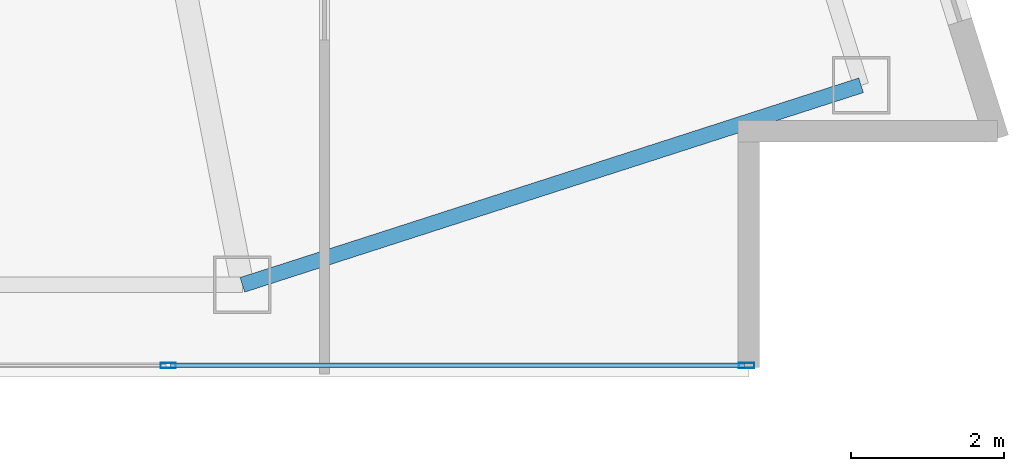
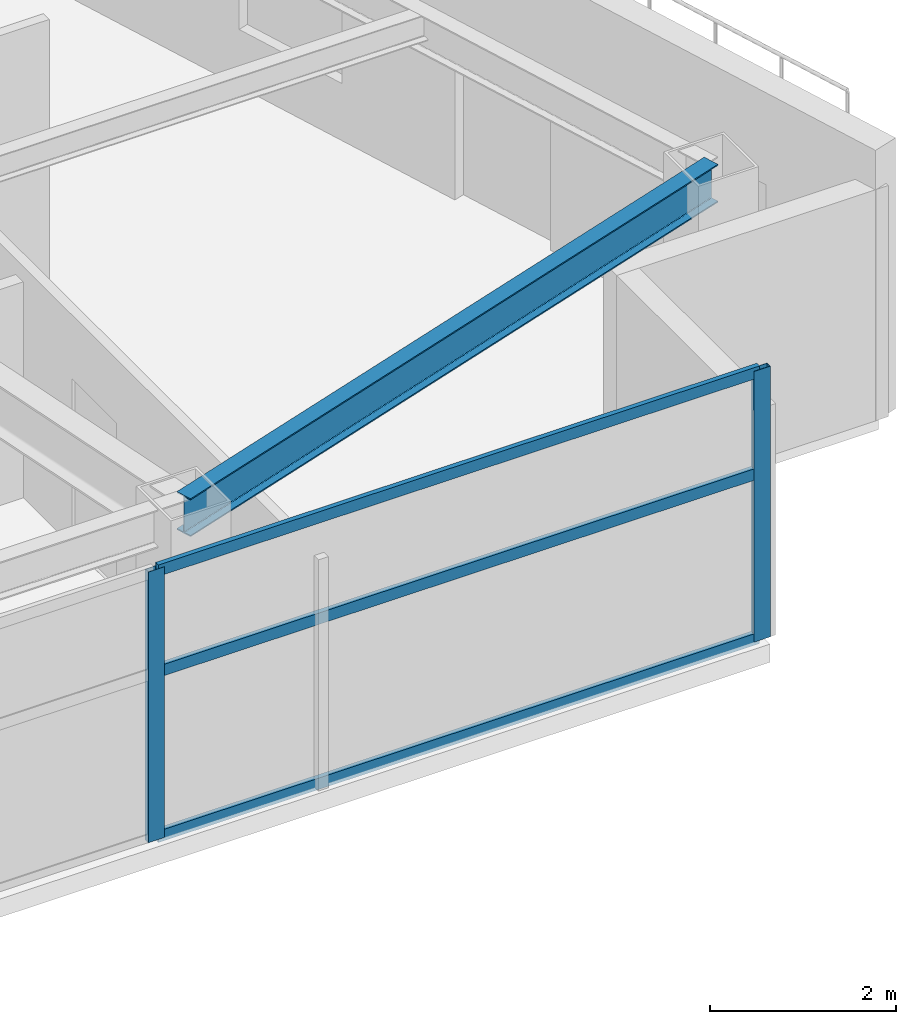
# One storey, part 14 of 28: 5 members, 1 beam, 1 element without a shape of its own.
"""IFC4 building model written with IfcOpenShell, lengths in metres."""

from ifc_helpers import new_model, si_unit, direction, frame, origin, origin_2d, place, context, subcontext, project, spatial, hollow_rectangle, i_section, extrude, material, layer, layer_set, material_profile, profile_set, type_object, element, aggregate, save


model = new_model("IFC4")

# Units and contexts
model_context = context("Model", 3, precision=1e-05, world=origin(), true_north=direction((0.0, 1.0)))
body_context = subcontext(model_context, "Body", "Model", "MODEL_VIEW")
ifc_project = project(units=[si_unit("LENGTHUNIT", "METRE"), si_unit("AREAUNIT", "SQUARE_METRE"), si_unit("VOLUMEUNIT", "CUBIC_METRE"), si_unit("PLANEANGLEUNIT", "RADIAN"), si_unit("MASSUNIT", "GRAM", prefix="KILO")], contexts=[model_context])

# Site, building, storey
site_placement = place(None, origin())
site = spatial("IfcSite", under=ifc_project, at=site_placement, CompositionType="ELEMENT")
building_placement = place(site_placement, origin())
building = spatial("IfcBuilding", under=site, at=building_placement, Name="Calvorn Quay Hotel", CompositionType="ELEMENT")
storey_placement = place(building_placement, frame((0.0, 0.0, 101.199951171875)))
storey = spatial("IfcBuildingStorey", under=building, at=storey_placement, Name="L24", CompositionType="ELEMENT", Elevation=101.199951171875)

# Beam
ifc_material_1 = material(Name="Steel Q355B", Category="steel")
ifc_material_profile_1 = material_profile(ifc_material_1, i_section(OverallWidth=0.199951171875, OverallDepth=0.5, WebThickness=0.010009765625, FlangeThickness=0.01611328125, FilletRadius=0.01611328125, at=origin_2d()), Name="HN500x200x10x16")
ifc_profile_set_1 = profile_set([ifc_material_profile_1], Name="Steel Q355B")
beam_type = type_object("IfcBeamType", Name="BM-SPANDREL-Z1", PredefinedType="SPANDREL", material=ifc_profile_set_1)
beam_placement = place(storey_placement, frame((49.39990234375, 3.60009765625, 3.2900390625), z_axis=(0.951725188386, 0.306951406237, 0.0), x_axis=(-0.306951406237, 0.951725188386, 0.0)))
element("IfcBeam", 1, at=beam_placement, inside=storey, type_object=beam_type, Name="Beam BSP-L24-S6", PredefinedType="SPANDREL", context=body_context, shape_type="SweptSolid", body=[
    extrude(i_section(OverallWidth=0.199951171875, OverallDepth=0.5, WebThickness=0.010009765625, FlangeThickness=0.01611328125, FilletRadius=0.01611328125, at=origin_2d()), origin(), (0.0, 0.0, 1.0), 8.469970703125),
])

# Curtain wall, members
ifc_material_2 = material(Name="Pale Anodised Aluminium and Low-E Glass", Category="aluminium")
ifc_layer = layer(ifc_material_2, 0.219970703125)
ifc_layer_set = layer_set([ifc_layer], Name="CW-SYS-Z2")
curtain_wall_type = type_object("IfcCurtainWallType", Name="CW-SYS-Z2", PredefinedType="NOTDEFINED", material=ifc_layer_set)
curtain_wall_placement = place(storey_placement, origin())
curtain_wall = element("IfcCurtainWall", 2, at=curtain_wall_placement, inside=storey, type_object=curtain_wall_type, Name="Tower South Waterfront Curtain Wall (L24)", PredefinedType="NOTDEFINED")
ifc_material_3 = material(Name="Pale Anodised Aluminium 6063-T6", Category="aluminium")
ifc_material_profile_2 = material_profile(ifc_material_3, hollow_rectangle(XDim=0.070068359375, YDim=0.199951171875, WallThickness=0.00390625, at=origin_2d()), Name="ALU-M200x70x4")
ifc_profile_set_2 = profile_set([ifc_material_profile_2], Name="Pale Anodised Aluminium 6063-T6")
member_type_1 = type_object("IfcMemberType", Name="CW-SYS-Z2-MUL", PredefinedType="MULLION", material=ifc_profile_set_2)
member_1_placement = place(storey_placement, frame((48.433349609375, 2.550048828125, 0.0), z_axis=(0.0, 0.0, 1.0), x_axis=(0.0, 1.0, 0.0)))
member_1 = element("IfcMember", 3, at=member_1_placement, type_object=member_type_1, Name="CW-L24-S mullion 6", PredefinedType="MULLION", context=body_context, shape_type="SweptSolid", body=[
    extrude(hollow_rectangle(XDim=0.070068359375, YDim=0.199951171875, WallThickness=0.00390625, at=origin_2d()), origin(), (0.0, 0.0, 1.0), 3.56005859375),
])
member_2_placement = place(storey_placement, frame((55.969970703125, 2.550048828125, 0.0), z_axis=(0.0, 0.0, 1.0), x_axis=(0.0, 1.0, 0.0)))
member_2 = element("IfcMember", 4, at=member_2_placement, type_object=member_type_1, Name="CW-L24-S mullion 7", PredefinedType="MULLION", context=body_context, shape_type="SweptSolid", body=[
    extrude(hollow_rectangle(XDim=0.070068359375, YDim=0.199951171875, WallThickness=0.00390625, at=origin_2d()), origin(), (0.0, 0.0, 1.0), 3.56005859375),
])
ifc_material_4 = material(Name="Pale Anodised Aluminium 6063-T6", Category="aluminium")
ifc_material_profile_3 = material_profile(ifc_material_4, hollow_rectangle(XDim=0.06005859375, YDim=0.14990234375, WallThickness=0.00341796875, at=origin_2d()), Name="ALU-T150x60x3.5")
ifc_profile_set_3 = profile_set([ifc_material_profile_3], Name="Pale Anodised Aluminium 6063-T6")
member_type_2 = type_object("IfcMemberType", Name="CW-SYS-Z2-TRN", PredefinedType="USERDEFINED", material=ifc_profile_set_3)
member_3_placement = place(storey_placement, frame((48.46337890625, 2.550048828125, 0.030029296875), z_axis=(1.0, 0.0, 0.0), x_axis=(0.0, 1.0, 0.0)))
member_3 = element("IfcMember", 5, at=member_3_placement, type_object=member_type_2, Name="CW-L24-S transom 6.1", ObjectType="TRANSOM", PredefinedType="USERDEFINED", context=body_context, shape_type="SweptSolid", body=[
    extrude(hollow_rectangle(XDim=0.06005859375, YDim=0.14990234375, WallThickness=0.00341796875, at=origin_2d()), origin(), (0.0, 0.0, 1.0), 7.4765625),
])
member_4_placement = place(storey_placement, frame((48.46337890625, 2.550048828125, 2.199951171875), z_axis=(1.0, 0.0, 0.0), x_axis=(0.0, 1.0, 0.0)))
member_4 = element("IfcMember", 6, at=member_4_placement, type_object=member_type_2, Name="CW-L24-S transom 6.2", ObjectType="TRANSOM", PredefinedType="USERDEFINED", context=body_context, shape_type="SweptSolid", body=[
    extrude(hollow_rectangle(XDim=0.06005859375, YDim=0.14990234375, WallThickness=0.00341796875, at=origin_2d()), origin(), (0.0, 0.0, 1.0), 7.4765625),
])
member_5_placement = place(storey_placement, frame((48.46337890625, 2.550048828125, 3.530029296875), z_axis=(1.0, 0.0, 0.0), x_axis=(0.0, 1.0, 0.0)))
member_5 = element("IfcMember", 7, at=member_5_placement, type_object=member_type_2, Name="CW-L24-S transom 6.3", ObjectType="TRANSOM", PredefinedType="USERDEFINED", context=body_context, shape_type="SweptSolid", body=[
    extrude(hollow_rectangle(XDim=0.06005859375, YDim=0.14990234375, WallThickness=0.00341796875, at=origin_2d()), origin(), (0.0, 0.0, 1.0), 7.4765625),
])
aggregate(curtain_wall, [member_1, member_2, member_3, member_4, member_5])

save(model, "model.ifc")
